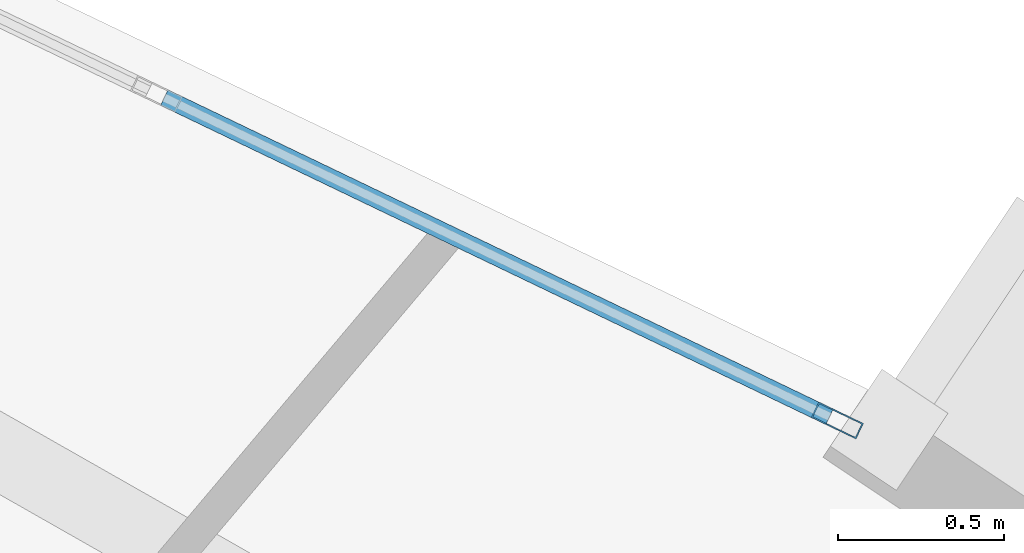
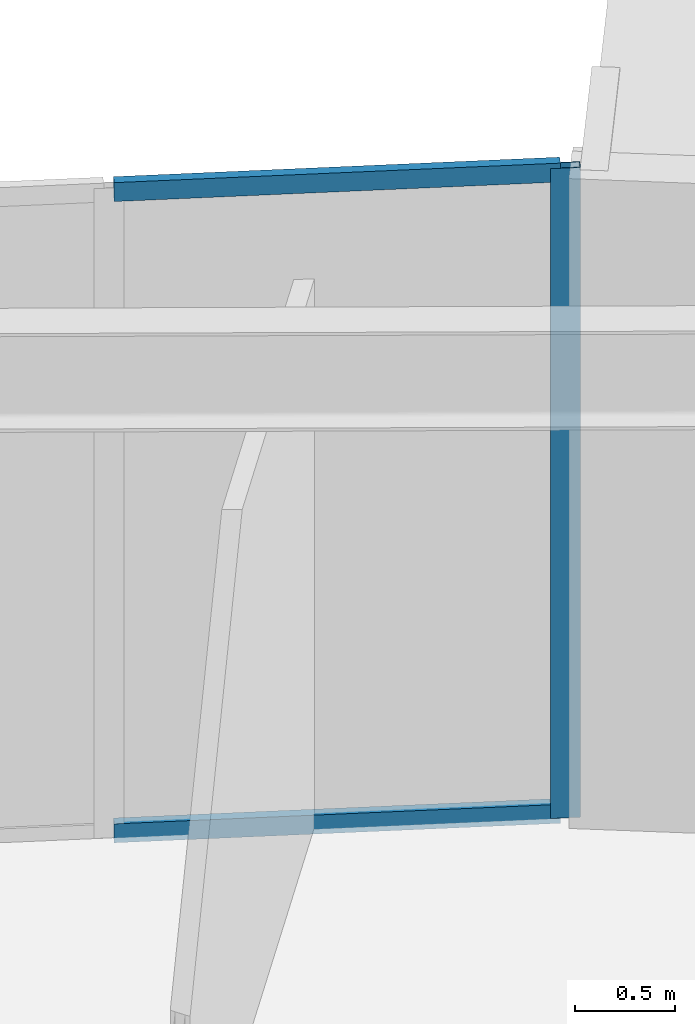
# One storey, part 6 of 21: 3 members, 1 element without a shape of its own.
"""IFC4 building model written with IfcOpenShell, lengths in metres."""

from ifc_helpers import new_model, si_unit, direction, frame, origin, origin_2d, place, context, subcontext, project, spatial, hollow_rectangle, extrude, source, transform, mapped, material, layer, layer_set, material_profile, profile_set, type_object, element, aggregate, save


model = new_model("IFC4")

# Units and contexts
model_context = context("Model", 3, precision=1e-05, world=origin(), true_north=direction((0.0, 1.0)))
body_context = subcontext(model_context, "Body", "Model", "MODEL_VIEW")
ifc_project = project(units=[si_unit("LENGTHUNIT", "METRE"), si_unit("AREAUNIT", "SQUARE_METRE"), si_unit("VOLUMEUNIT", "CUBIC_METRE"), si_unit("PLANEANGLEUNIT", "RADIAN"), si_unit("MASSUNIT", "GRAM", prefix="KILO")], contexts=[model_context])

# Site, building, storey
site_placement = place(None, origin())
site = spatial("IfcSite", under=ifc_project, at=site_placement, CompositionType="ELEMENT")
building_placement = place(site_placement, origin())
building = spatial("IfcBuilding", under=site, at=building_placement, Name="Linh Dai School and Residence Tower", CompositionType="ELEMENT")
storey_placement = place(building_placement, frame((0.0, 0.0, 78.60009765625)))
storey = spatial("IfcBuildingStorey", under=building, at=storey_placement, Name="L18", CompositionType="ELEMENT", Elevation=78.60009765625)

# Curtain wall, members
ifc_material_1 = material(Name="Aluminium Anodised Curtain Wall", Category="aluminium")
ifc_layer = layer(ifc_material_1, 0.14990234375)
ifc_layer_set = layer_set([ifc_layer], Name="Aluminium Anodised Curtain Wall")
curtain_wall_type = type_object("IfcCurtainWallType", Name="CW-SYS-4", PredefinedType="USERDEFINED", material=ifc_layer_set)
curtain_wall_placement = place(storey_placement, origin())
curtain_wall = element("IfcCurtainWall", 1, at=curtain_wall_placement, inside=storey, type_object=curtain_wall_type, Name="L18 CW4 Curtain Wall 07", ObjectType="RIBBON CURTAIN WALL", PredefinedType="USERDEFINED")
ifc_material_2 = material(Name="Aluminium Alloy 6063-T6", Category="aluminium")
ifc_material_profile_1 = material_profile(ifc_material_2, hollow_rectangle(XDim=0.052001953125, YDim=0.14990234375, WallThickness=0.00390625, at=origin_2d()), Name="RHS 150x52x4")
ifc_profile_set_1 = profile_set([ifc_material_profile_1], Name="Aluminium Alloy 6063-T6")
member_type_1 = type_object("IfcMemberType", Name="CW-SYS-4-MUL", PredefinedType="MULLION", material=ifc_profile_set_1)
shared_shape_1 = source(origin(), body_context, "Body", "SweptSolid", [
    extrude(hollow_rectangle(XDim=0.052001953125, YDim=0.14990234375, WallThickness=0.00390625, at=origin_2d()), origin(), (0.0, 0.0, 1.0), 3.949951171875),
])
member_1_placement = place(storey_placement, frame((54.253662109375, 46.6669921875, 0.0), z_axis=(0.0, 0.0, 1.0), x_axis=(0.432603008528, 0.901584514626, 0.0)))
member_1 = element("IfcMember", 2, at=member_1_placement, type_object=member_type_1, Name="CW4 mullion 3", PredefinedType="MULLION", context=body_context, shape_type="MappedRepresentation", body=[
    mapped(shared_shape_1, transform((0.0, 0.0, 0.0), x_axis=(1.0, 0.0, 0.0), y_axis=(0.0, 1.0, 0.0), z_axis=(0.0, 0.0, 1.0), scale=1.0)),
])
ifc_material_profile_2 = material_profile(ifc_material_2, hollow_rectangle(XDim=0.052001953125, YDim=0.114990234375, WallThickness=0.00390625, at=origin_2d()), Name="RHS 115x52x4")
ifc_profile_set_2 = profile_set([ifc_material_profile_2], Name="Aluminium Alloy 6063-T6")
member_type_2 = type_object("IfcMemberType", Name="CW-SYS-4-TRN", PredefinedType="USERDEFINED", material=ifc_profile_set_2)
shared_shape_2 = source(origin(), body_context, "Body", "SweptSolid", [
    extrude(hollow_rectangle(XDim=0.052001953125, YDim=0.114990234375, WallThickness=0.00390625, at=origin_2d()), origin(), (0.0, 0.0, 1.0), 2.228271484375),
])
member_2_placement = place(storey_placement, frame((52.22119140625, 47.64208984375, 0.02587890625), z_axis=(0.901605107668, -0.432560088112, 0.0), x_axis=(0.432560088112, 0.901605107668, 0.0)))
member_2 = element("IfcMember", 3, at=member_2_placement, type_object=member_type_2, Name="CW4 transom 2.1", ObjectType="TRANSOM", PredefinedType="USERDEFINED", context=body_context, shape_type="MappedRepresentation", body=[
    mapped(shared_shape_2, transform((0.0, 0.0, 0.0), x_axis=(1.0, 0.0, 0.0), y_axis=(0.0, 1.0, 0.0), z_axis=(0.0, 0.0, 1.0), scale=1.0)),
])
member_3_placement = place(storey_placement, frame((52.22119140625, 47.64208984375, 3.923828125), z_axis=(0.901605107668, -0.432560088112, 0.0), x_axis=(0.432560088112, 0.901605107668, 0.0)))
member_3 = element("IfcMember", 4, at=member_3_placement, type_object=member_type_2, Name="CW4 transom 2.2", ObjectType="TRANSOM", PredefinedType="USERDEFINED", context=body_context, shape_type="MappedRepresentation", body=[
    mapped(shared_shape_2, transform((0.0, 0.0, 0.0), x_axis=(1.0, 0.0, 0.0), y_axis=(0.0, 1.0, 0.0), z_axis=(0.0, 0.0, 1.0), scale=1.0)),
])
aggregate(curtain_wall, [member_1, member_2, member_3])

save(model, "model.ifc")
